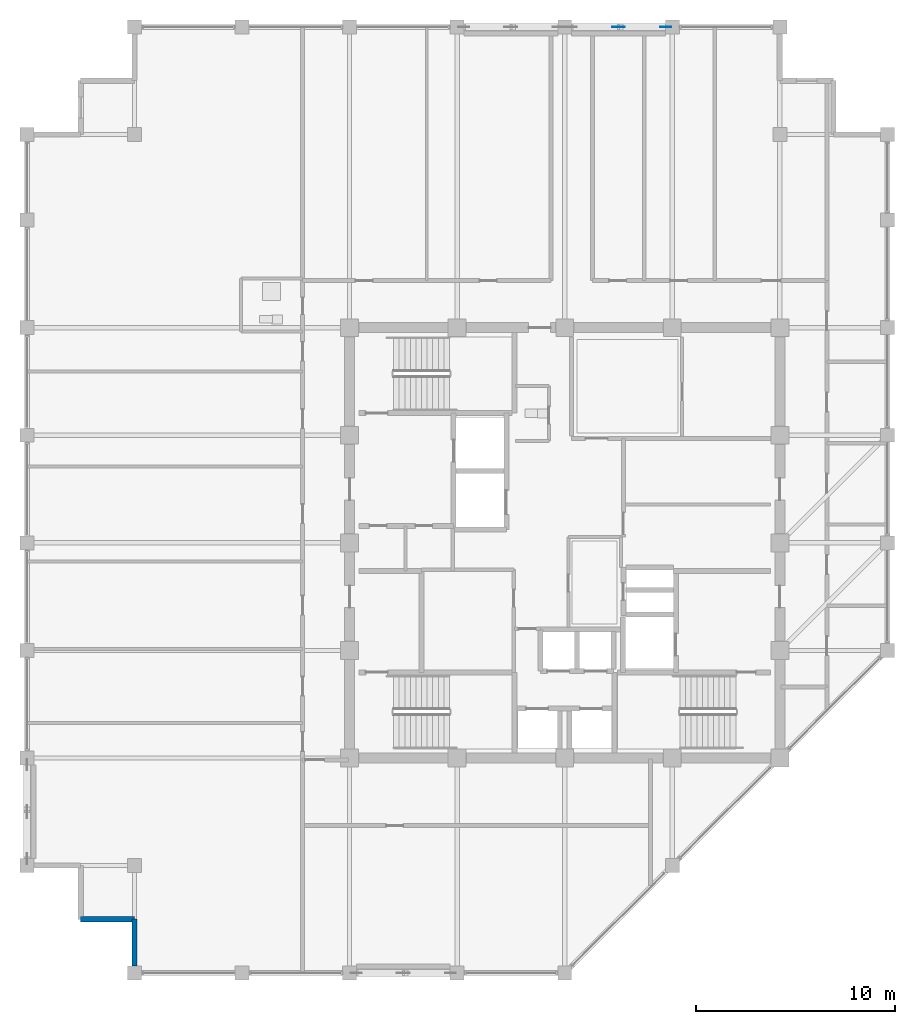
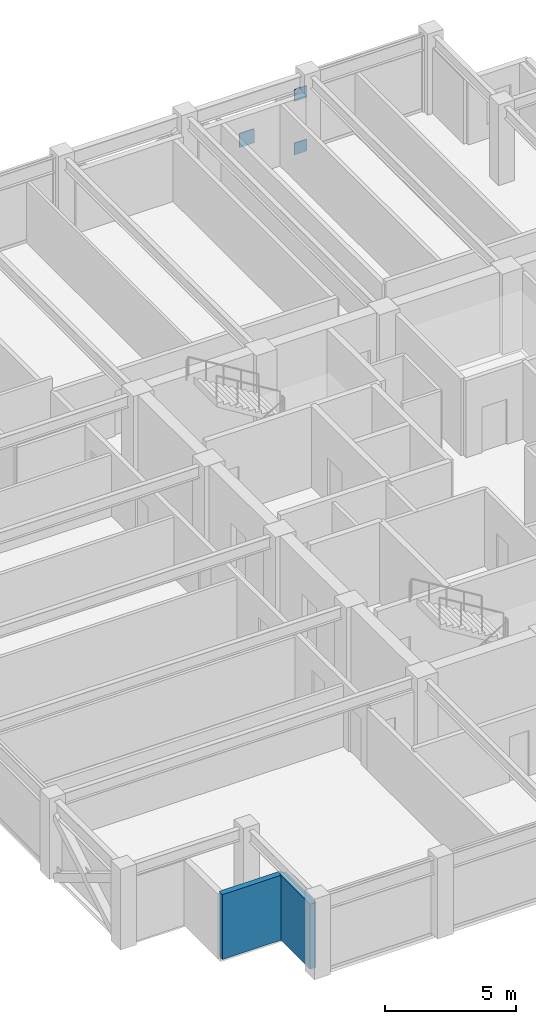
# One storey, part 25 of 31: 3 plates, 2 walls.
"""IFC4 building model written with IfcOpenShell, lengths in metres."""

from ifc_helpers import new_model, si_unit, direction, frame, frame_2d, origin, origin_2d, place, context, subcontext, project, spatial, rectangle, extrude, material, layer, layer_set, type_object, element, save


model = new_model("IFC4")

# Units and contexts
model_context = context("Model", 3, precision=1e-05, world=origin(), true_north=direction((0.0, 1.0)))
body_context = subcontext(model_context, "Body", "Model", "MODEL_VIEW")
ifc_project = project(units=[si_unit("LENGTHUNIT", "METRE"), si_unit("AREAUNIT", "SQUARE_METRE"), si_unit("VOLUMEUNIT", "CUBIC_METRE"), si_unit("PLANEANGLEUNIT", "RADIAN"), si_unit("MASSUNIT", "GRAM", prefix="KILO")], contexts=[model_context])

# Site, building, storey
site_placement = place(None, origin())
site = spatial("IfcSite", under=ifc_project, at=site_placement, CompositionType="ELEMENT")
building_placement = place(site_placement, origin())
building = spatial("IfcBuilding", under=site, at=building_placement, Name="Surkhivell Harbour Commons", CompositionType="ELEMENT")
storey_placement = place(building_placement, frame((0.0, 0.0, 330.0)))
storey = spatial("IfcBuildingStorey", under=building, at=storey_placement, Name="L86", CompositionType="ELEMENT", Elevation=330.0)

# Plates
ifc_material_1 = material(Name="Steel S460", Category="steel")
ifc_layer_1 = layer(ifc_material_1, 0.035888671875)
ifc_layer_set_1 = layer_set([ifc_layer_1], Name="Steel S460")
plate_type_1 = type_object("IfcPlateType", Name="PLT-GUS-550", PredefinedType="USERDEFINED", material=ifc_layer_set_1)
for number, where, z_axis, x_axis, name in (
    (1, (5.06494140625, 25.89990234375, -0.07470703125), (0.0, 0.0, 1.0), (1.0, 0.0, 0.0), "L86 Perimeter Mega-Brace MB- Corner Gusset N2-2"),
    (2, (5.06494140625, 25.89990234375, 2.41357421875), (0.0, 0.0, 1.0), (1.0, 0.0, 0.0), "L86 Perimeter Mega-Brace MB- Corner Gusset N2-4"),
):
    element("IfcPlate", number, at=place(storey_placement, frame(where, z_axis=z_axis, x_axis=x_axis)), inside=storey, type_object=plate_type_1, Name=name, ObjectType="GUSSET_PLATE", PredefinedType="USERDEFINED", context=body_context, shape_type="SweptSolid", body=[
        extrude(rectangle(XDim=0.550048828125, YDim=0.035888671875, at=origin_2d()), origin(), (0.0, 0.0, 1.0), 0.550048828125),
    ])
ifc_layer_2 = layer(ifc_material_1, 0.044921875)
ifc_layer_set_2 = layer_set([ifc_layer_2], Name="Steel S460")
plate_type_2 = type_object("IfcPlateType", Name="PLT-GUS-650", PredefinedType="USERDEFINED", material=ifc_layer_set_2)
plate_placement = place(storey_placement, frame((2.699951171875, 25.89990234375, 1.11962890625), z_axis=(0.0, 0.0, 1.0), x_axis=(1.0, 0.0, 0.0)))
element("IfcPlate", 3, at=plate_placement, inside=storey, type_object=plate_type_2, Name="L86 Perimeter Mega-Brace MB- Central Crossing Gusset N2", ObjectType="GUSSET_PLATE", PredefinedType="USERDEFINED", context=body_context, shape_type="SweptSolid", body=[
    extrude(rectangle(XDim=0.64990234375, YDim=0.044921875, at=origin_2d()), origin(), (0.0, 0.0, 1.0), 0.64990234375),
])

# Walls
ifc_material_2 = material(Name="Pale-metal insulated precast concrete C45/55", Category="concrete")
ifc_layer_3 = layer(ifc_material_2, 0.260009765625)
ifc_layer_set_3 = layer_set([ifc_layer_3], Name="Pale-metal insulated precast concrete C45/55")
wall_type = type_object("IfcWallType", Name="WAL-EXT-MTL260", PredefinedType="STANDARD", material=ifc_layer_set_3)
wall_1_placement = place(storey_placement, frame((-24.300048828125, -18.89990234375, 0.0), z_axis=(0.0, 0.0, 1.0), x_axis=(1.0, 0.0, 0.0)))
element("IfcWall", 4, at=wall_1_placement, inside=storey, type_object=wall_type, Name="L86 Serrated Corner Facade Wall 15", PredefinedType="STANDARD", context=body_context, shape_type="SweptSolid", body=[
    extrude(rectangle(XDim=2.699951171875, YDim=0.260009765625, at=frame_2d((1.35009765625, 0.0))), origin(), (0.0, 0.0, 1.0), 3.012939453125),
])
wall_2_placement = place(storey_placement, frame((-21.60009765625, -18.89990234375, 0.0), z_axis=(0.0, 0.0, 1.0), x_axis=(0.0, -1.0, 0.0)))
element("IfcWall", 5, at=wall_2_placement, inside=storey, type_object=wall_type, Name="L86 Serrated Corner Facade Wall 16", PredefinedType="STANDARD", context=body_context, shape_type="SweptSolid", body=[
    extrude(rectangle(XDim=2.35205078125, YDim=0.260009765625, at=frame_2d((1.176025390625, 0.0))), origin(), (0.0, 0.0, 1.0), 3.012939453125),
])

save(model, "model.ifc")
